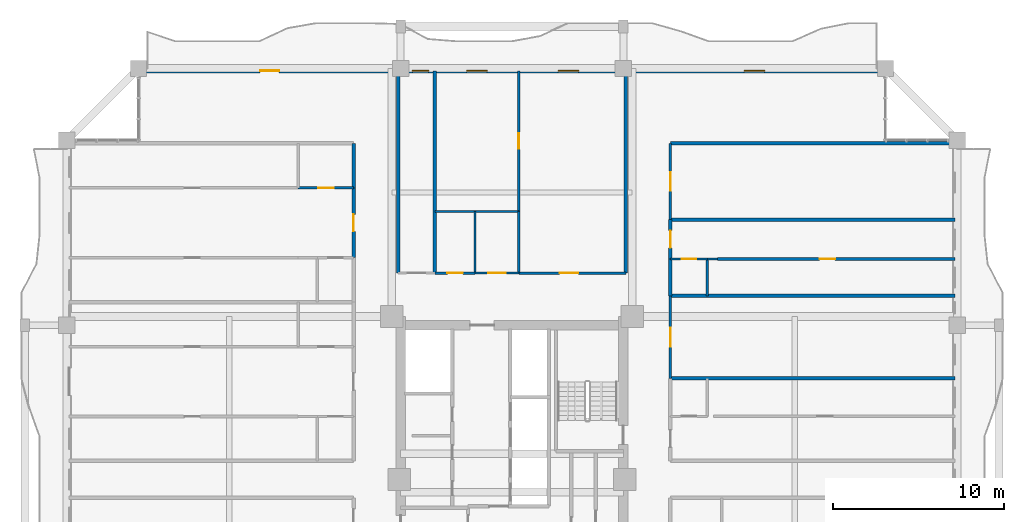
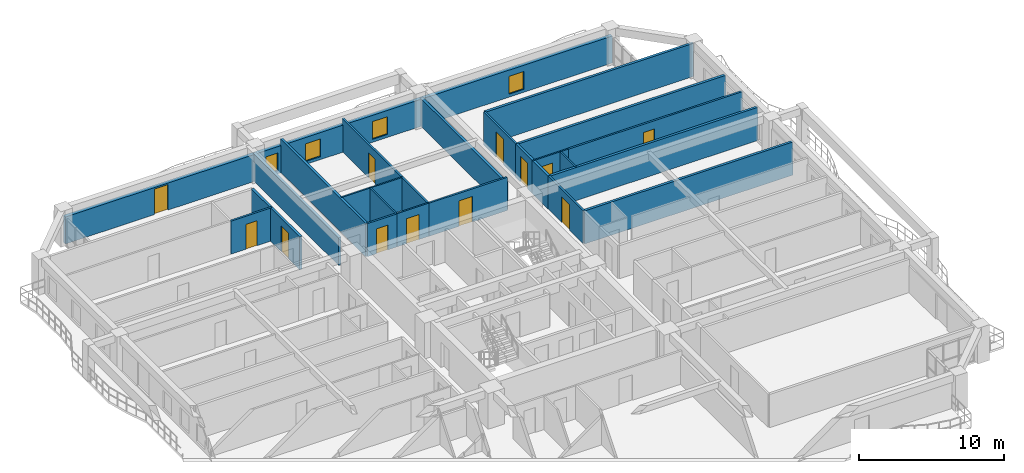
# One storey, part 18 of 24: 26 walls, 12 doors, 4 windows, 16 openings.
"""IFC4 building model written with IfcOpenShell, lengths in metres."""

from ifc_helpers import new_model, si_unit, direction, frame, frame_2d, origin, place, context, subcontext, project, spatial, rectangle, extrude, source, transform, mapped, material, layer, layer_set, type_object, element, fill, save


model = new_model("IFC4")

# Units and contexts
model_context = context("Model", 3, precision=1e-05, world=origin(), true_north=direction((0.0, 1.0)))
body_context = subcontext(model_context, "Body", "Model", "MODEL_VIEW")
ifc_project = project(units=[si_unit("LENGTHUNIT", "METRE"), si_unit("AREAUNIT", "SQUARE_METRE"), si_unit("VOLUMEUNIT", "CUBIC_METRE"), si_unit("PLANEANGLEUNIT", "RADIAN"), si_unit("MASSUNIT", "GRAM", prefix="KILO")], contexts=[model_context])

# Site, building, storey
site_placement = place(None, origin())
site = spatial("IfcSite", under=ifc_project, at=site_placement, CompositionType="ELEMENT")
building_placement = place(site_placement, origin())
building = spatial("IfcBuilding", under=site, at=building_placement, Name="Saelheon Loggia Tower", CompositionType="ELEMENT")
storey_placement = place(building_placement, frame((0.0, 0.0, 126.75)))
storey = spatial("IfcBuildingStorey", under=building, at=storey_placement, Name="L40", CompositionType="ELEMENT", Elevation=126.75)

# Wall, openings, windows, door
ifc_material_1 = material(Name="Architectural Precast Concrete C40/50", Category="concrete")
ifc_layer_1 = layer(ifc_material_1, 0.280029296875)
ifc_layer_set_1 = layer_set([ifc_layer_1], Name="Architectural Precast Concrete C40/50")
wall_type_1 = type_object("IfcWallType", Name="Wall_Ext_Loggia_280", PredefinedType="SOLIDWALL", material=ifc_layer_set_1)
wall_1_placement = place(storey_placement, frame((16.199951171875, 50.860107421875, 0.0), z_axis=(0.0, 0.0, 1.0), x_axis=(1.0, 0.0, 0.0)))
wall_1 = element("IfcWall", 1, at=wall_1_placement, inside=storey, type_object=wall_type_1, Name="L40 North Loggia Inner Wall", PredefinedType="SOLIDWALL", context=body_context, shape_type="SweptSolid", body=[
    extrude(rectangle(XDim=43.60009765625, YDim=0.280029296875, at=frame_2d((21.800048828125, 0.0))), origin(), (0.0, 0.0, 1.0), 2.280029296875),
])
opening_1_placement = place(wall_1_placement, frame((7.10009765625, 0.0, 0.0)))
opening_1 = element("IfcOpeningElement", 2, at=opening_1_placement, cuts=wall_1, Name="Opening TD1", PredefinedType="OPENING", context=body_context, shape_type="SweptSolid", body=[
    extrude(rectangle(XDim=1.10009765625, YDim=2.14990234375, at=frame_2d((0.550048828125, 1.074951171875))), frame((0.0, 0.152099609375, 0.0), z_axis=(0.0, -1.0, 0.0), x_axis=(1.0, 0.0, 0.0)), (0.0, 0.0, 1.0), 0.303955078125),
])
opening_2_placement = place(wall_1_placement, frame((15.982421875, 0.0, 0.25)))
opening_2 = element("IfcOpeningElement", 3, at=opening_2_placement, cuts=wall_1, Name="Opening WN-04", PredefinedType="OPENING", context=body_context, shape_type="SweptSolid", body=[
    extrude(rectangle(XDim=0.949951171875, YDim=1.5, at=frame_2d((0.47509765625, 0.75))), frame((0.0, 0.152099609375, 0.0), z_axis=(0.0, -1.0, 0.0), x_axis=(1.0, 0.0, 0.0)), (0.0, 0.0, 1.0), 0.303955078125),
])
opening_3_placement = place(wall_1_placement, frame((19.14990234375, 0.0, 0.25)))
opening_3 = element("IfcOpeningElement", 4, at=opening_3_placement, cuts=wall_1, Name="Opening WN-03", PredefinedType="OPENING", context=body_context, shape_type="SweptSolid", body=[
    extrude(rectangle(XDim=1.199951171875, YDim=1.5, at=frame_2d((0.60009765625, 0.75))), frame((0.0, 0.152099609375, 0.0), z_axis=(0.0, -1.0, 0.0), x_axis=(1.0, 0.0, 0.0)), (0.0, 0.0, 1.0), 0.303955078125),
])
opening_4_placement = place(wall_1_placement, frame((24.492431640625, 0.0, 0.25)))
opening_4 = element("IfcOpeningElement", 5, at=opening_4_placement, cuts=wall_1, Name="Opening WN-03", PredefinedType="OPENING", context=body_context, shape_type="SweptSolid", body=[
    extrude(rectangle(XDim=1.199951171875, YDim=1.5, at=frame_2d((0.60009765625, 0.75))), frame((0.0, 0.152099609375, 0.0), z_axis=(0.0, -1.0, 0.0), x_axis=(1.0, 0.0, 0.0)), (0.0, 0.0, 1.0), 0.303955078125),
])
opening_5_placement = place(wall_1_placement, frame((35.35009765625, 0.0, 0.25)))
opening_5 = element("IfcOpeningElement", 6, at=opening_5_placement, cuts=wall_1, Name="Opening WN-03", PredefinedType="OPENING", context=body_context, shape_type="SweptSolid", body=[
    extrude(rectangle(XDim=1.199951171875, YDim=1.5, at=frame_2d((0.60009765625, 0.75))), frame((0.0, 0.152099609375, 0.0), z_axis=(0.0, -1.0, 0.0), x_axis=(1.0, 0.0, 0.0)), (0.0, 0.0, 1.0), 0.303955078125),
])
ifc_material_2 = material(Name="Thermal-Break Aluminium and Triple Low-E Glass", Category="aluminium")
window_type_1 = type_object("IfcWindowType", Name="Win_Bedroom_1200x1500", PartitioningType="SINGLE_PANEL", PredefinedType="WINDOW", material=ifc_material_2)
shared_shape_1 = source(origin(), body_context, "Body", "SweptSolid", [
    extrude(rectangle(XDim=1.199951171875, YDim=1.5, at=frame_2d((0.60009765625, 0.75))), frame((0.0, 0.030029296875, 0.0), z_axis=(0.0, -1.0, 0.0), x_axis=(1.0, 0.0, 0.0)), (0.0, 0.0, 1.0), 0.06005859375),
])
window_1_placement = place(opening_3_placement, origin())
window_1 = element("IfcWindow", 7, at=window_1_placement, inside=storey, type_object=window_type_1, Name="L40 N Dwelling Window 3", OverallHeight=1.5, OverallWidth=1.199951171875, PartitioningType="SINGLE_PANEL", PredefinedType="WINDOW", context=body_context, shape_type="MappedRepresentation", body=[
    mapped(shared_shape_1, transform((0.0, 0.0, 0.0), scale=1.0)),
])
fill(opening_3, window_1)
window_2_placement = place(opening_4_placement, origin())
window_2 = element("IfcWindow", 8, at=window_2_placement, inside=storey, type_object=window_type_1, Name="L40 N Dwelling Window 4", OverallHeight=1.5, OverallWidth=1.199951171875, PartitioningType="SINGLE_PANEL", PredefinedType="WINDOW", context=body_context, shape_type="MappedRepresentation", body=[
    mapped(shared_shape_1, transform((0.0, 0.0, 0.0), scale=1.0)),
])
fill(opening_4, window_2)
window_3_placement = place(opening_5_placement, origin())
window_3 = element("IfcWindow", 9, at=window_3_placement, inside=storey, type_object=window_type_1, Name="L40 N Dwelling Window 5", OverallHeight=1.5, OverallWidth=1.199951171875, PartitioningType="SINGLE_PANEL", PredefinedType="WINDOW", context=body_context, shape_type="MappedRepresentation", body=[
    mapped(shared_shape_1, transform((0.0, 0.0, 0.0), scale=1.0)),
])
fill(opening_5, window_3)
ifc_material_3 = material(Name="Thermal-Break Aluminium Glazed Door", Category="aluminium")
door_type_1 = type_object("IfcDoorType", Name="Door_Terrace_TD1", OperationType="NOTDEFINED", PredefinedType="DOOR", material=ifc_material_3)
shared_shape_2 = source(origin(), body_context, "Body", "SweptSolid", [
    extrude(rectangle(XDim=1.10009765625, YDim=2.14990234375, at=frame_2d((0.550048828125, 1.074951171875))), frame((0.0, 0.02490234375, 0.0), z_axis=(0.0, -1.0, 0.0), x_axis=(1.0, 0.0, 0.0)), (0.0, 0.0, 1.0), 0.050048828125),
])
door_1_placement = place(opening_1_placement, origin())
door_1 = element("IfcDoor", 10, at=door_1_placement, inside=storey, type_object=door_type_1, Name="L40 N Loggia Access Door", OperationType="SINGLE_SWING_LEFT", OverallHeight=2.14990234375, OverallWidth=1.10009765625, PredefinedType="DOOR", context=body_context, shape_type="MappedRepresentation", body=[
    mapped(shared_shape_2, transform((0.0, 0.0, 0.0), scale=1.0)),
])
fill(opening_1, door_1)
window_type_2 = type_object("IfcWindowType", Name="Win_Narrow_950x1500", PartitioningType="SINGLE_PANEL", PredefinedType="WINDOW", material=ifc_material_2)
shared_shape_3 = source(origin(), body_context, "Body", "SweptSolid", [
    extrude(rectangle(XDim=0.949951171875, YDim=1.5, at=frame_2d((0.47509765625, 0.75))), frame((0.0, 0.030029296875, 0.0), z_axis=(0.0, -1.0, 0.0), x_axis=(1.0, 0.0, 0.0)), (0.0, 0.0, 1.0), 0.06005859375),
])
window_4_placement = place(opening_2_placement, origin())
window_4 = element("IfcWindow", 11, at=window_4_placement, inside=storey, type_object=window_type_2, Name="L40 N Dwelling Window 2", OverallHeight=1.5, OverallWidth=0.949951171875, PartitioningType="SINGLE_PANEL", PredefinedType="WINDOW", context=body_context, shape_type="MappedRepresentation", body=[
    mapped(shared_shape_3, transform((0.0, 0.0, 0.0), scale=1.0)),
])
fill(opening_2, window_4)

# Wall
ifc_material_4 = material(Name="Lightweight Autoclaved Aerated Concrete Block and Acoustic Gypsum", Category="concrete")
ifc_layer_2 = layer(ifc_material_4, 0.14990234375)
ifc_layer_set_2 = layer_set([ifc_layer_2], Name="Lightweight Autoclaved Aerated Concrete Block and Acoustic Gypsum")
wall_type_2 = type_object("IfcWallType", Name="Wall_Part_150", PredefinedType="PARTITIONING", material=ifc_layer_set_2)
wall_2_placement = place(storey_placement, frame((38.39990234375, 39.050048828125, 0.0), z_axis=(0.0, 0.0, 1.0), x_axis=(0.0, 1.0, 0.0)))
element("IfcWall", 12, at=wall_2_placement, inside=storey, type_object=wall_type_2, Name="L40 N Partition U06", PredefinedType="PARTITIONING", context=body_context, shape_type="SweptSolid", body=[
    extrude(rectangle(XDim=3.599853515625, YDim=0.14990234375, at=frame_2d((1.7998046875, 0.0))), origin(), (0.0, 0.0, 1.0), 2.7900390625),
])

# Wall, opening, door
wall_3_placement = place(storey_placement, frame((38.39990234375, 42.64990234375, 0.0), z_axis=(0.0, 0.0, 1.0), x_axis=(0.0, 1.0, 0.0)))
wall_3 = element("IfcWall", 13, at=wall_3_placement, inside=storey, type_object=wall_type_2, Name="L40 N Partition U07", PredefinedType="PARTITIONING", context=body_context, shape_type="SweptSolid", body=[
    extrude(rectangle(XDim=8.2001953125, YDim=0.14990234375, at=frame_2d((4.10009765625, 0.0))), origin(), (0.0, 0.0, 1.0), 2.7900390625),
])
opening_6_placement = place(wall_3_placement, frame((3.64990234375, 0.0, 0.0)))
opening_6 = element("IfcOpeningElement", 14, at=opening_6_placement, cuts=wall_3, Name="Opening D-IN2", PredefinedType="OPENING", context=body_context, shape_type="SweptSolid", body=[
    extrude(rectangle(XDim=0.89990234375, YDim=2.10009765625, at=frame_2d((0.449951171875, 1.050048828125))), frame((0.0, 0.0869140625, 0.0), z_axis=(0.0, -1.0, 0.0), x_axis=(1.0, 0.0, 0.0)), (0.0, 0.0, 1.0), 0.173828125),
])
ifc_material_5 = material(Name="Engineered Oak Flush Door", Category="timber")
door_type_2 = type_object("IfcDoorType", Name="Door_Int_900", OperationType="NOTDEFINED", PredefinedType="DOOR", material=ifc_material_5)
shared_shape_4 = source(origin(), body_context, "Body", "SweptSolid", [
    extrude(rectangle(XDim=0.89990234375, YDim=2.10009765625, at=frame_2d((0.449951171875, 1.050048828125))), frame((0.0, 0.02490234375, 0.0), z_axis=(0.0, -1.0, 0.0), x_axis=(1.0, 0.0, 0.0)), (0.0, 0.0, 1.0), 0.050048828125),
])
door_2_placement = place(opening_6_placement, origin())
door_2 = element("IfcDoor", 15, at=door_2_placement, inside=storey, type_object=door_type_2, Name="L40 Reading Alcove Door", OperationType="SINGLE_SWING_LEFT", OverallHeight=2.10009765625, OverallWidth=0.89990234375, PredefinedType="DOOR", context=body_context, shape_type="MappedRepresentation", body=[
    mapped(shared_shape_4, transform((0.0, 0.0, 0.0), scale=1.0)),
])
fill(opening_6, door_2)

wall_4_placement = place(storey_placement, frame((33.5, 39.050048828125, 0.0), z_axis=(0.0, 0.0, 1.0), x_axis=(1.0, 0.0, 0.0)))
wall_4 = element("IfcWall", 16, at=wall_4_placement, inside=storey, type_object=wall_type_2, Name="L40 N Partition V09", PredefinedType="PARTITIONING", context=body_context, shape_type="SweptSolid", body=[
    extrude(rectangle(XDim=2.35009765625, YDim=0.14990234375, at=frame_2d((1.175048828125, 0.0))), origin(), (0.0, 0.0, 1.0), 2.7900390625),
])
opening_7_placement = place(wall_4_placement, frame((0.72509765625, 0.0, 0.0)))
opening_7 = element("IfcOpeningElement", 17, at=opening_7_placement, cuts=wall_4, Name="Opening D-IN2", PredefinedType="OPENING", context=body_context, shape_type="SweptSolid", body=[
    extrude(rectangle(XDim=0.89990234375, YDim=2.10009765625, at=frame_2d((0.449951171875, 1.050048828125))), frame((0.0, 0.0869140625, 0.0), z_axis=(0.0, -1.0, 0.0), x_axis=(1.0, 0.0, 0.0)), (0.0, 0.0, 1.0), 0.173828125),
])
door_3_placement = place(opening_7_placement, origin())
door_3 = element("IfcDoor", 18, at=door_3_placement, inside=storey, type_object=door_type_2, Name="L40 Community Pantry Door", OperationType="SINGLE_SWING_RIGHT", OverallHeight=2.10009765625, OverallWidth=0.89990234375, PredefinedType="DOOR", context=body_context, shape_type="MappedRepresentation", body=[
    mapped(shared_shape_4, transform((0.0, 0.0, 0.0), scale=1.0)),
])
fill(opening_7, door_3)

wall_5_placement = place(storey_placement, frame((38.39990234375, 39.050048828125, 0.0), z_axis=(0.0, 0.0, 1.0), x_axis=(1.0, 0.0, 0.0)))
wall_5 = element("IfcWall", 19, at=wall_5_placement, inside=storey, type_object=wall_type_2, Name="L40 N Partition V11", PredefinedType="PARTITIONING", context=body_context, shape_type="SweptSolid", body=[
    extrude(rectangle(XDim=6.25, YDim=0.14990234375, at=frame_2d((3.125, 0.0))), origin(), (0.0, 0.0, 1.0), 2.7900390625),
])
opening_8_placement = place(wall_5_placement, frame((2.382080078125, 0.0, 0.0)))
opening_8 = element("IfcOpeningElement", 20, at=opening_8_placement, cuts=wall_5, Name="Opening D-FD2", PredefinedType="OPENING", context=body_context, shape_type="SweptSolid", body=[
    extrude(rectangle(XDim=1.10009765625, YDim=2.14990234375, at=frame_2d((0.550048828125, 1.074951171875))), frame((0.0, 0.0869140625, 0.0), z_axis=(0.0, -1.0, 0.0), x_axis=(1.0, 0.0, 0.0)), (0.0, 0.0, 1.0), 0.173828125),
])
ifc_material_6 = material(Name="Galvanised Steel Fire Door", Category="steel")
door_type_3 = type_object("IfcDoorType", Name="Door_Fire_FD60_1100", OperationType="NOTDEFINED", PredefinedType="DOOR", material=ifc_material_6)
door_4_placement = place(opening_8_placement, origin())
door_4 = element("IfcDoor", 21, at=door_4_placement, inside=storey, type_object=door_type_3, Name="L40 Community Reading Library Door A", OperationType="SINGLE_SWING_RIGHT", OverallHeight=2.14990234375, OverallWidth=1.10009765625, PredefinedType="DOOR", context=body_context, shape_type="MappedRepresentation", body=[
    mapped(shared_shape_2, transform((0.0, 0.0, 0.0), scale=1.0)),
])
fill(opening_8, door_4)

wall_6_placement = place(storey_placement, frame((28.75, 44.02001953125, 0.0), z_axis=(0.0, 0.0, 1.0), x_axis=(-1.0, 0.0, 0.0)))
wall_6 = element("IfcWall", 22, at=wall_6_placement, inside=storey, type_object=wall_type_2, Name="L40 WN Partition U22", PredefinedType="PARTITIONING", context=body_context, shape_type="SweptSolid", body=[
    extrude(rectangle(XDim=3.239990234375, YDim=0.14990234375, at=frame_2d((1.6201171875, 0.0))), origin(), (0.0, 0.0, 1.0), 2.7900390625),
])
opening_9_placement = place(wall_6_placement, frame((1.169921875, 0.0, 0.0)))
opening_9 = element("IfcOpeningElement", 23, at=opening_9_placement, cuts=wall_6, Name="Opening D-IN2", PredefinedType="OPENING", context=body_context, shape_type="SweptSolid", body=[
    extrude(rectangle(XDim=0.89990234375, YDim=2.10009765625, at=frame_2d((0.449951171875, 1.050048828125))), frame((0.0, 0.0869140625, 0.0), z_axis=(0.0, -1.0, 0.0), x_axis=(1.0, 0.0, 0.0)), (0.0, 0.0, 1.0), 0.173828125),
])
door_5_placement = place(opening_9_placement, origin())
door_5 = element("IfcDoor", 24, at=door_5_placement, inside=storey, type_object=door_type_2, Name="Unit U06 Dressing Closet Door", OperationType="SINGLE_SWING_LEFT", OverallHeight=2.10009765625, OverallWidth=0.89990234375, PredefinedType="DOOR", context=body_context, shape_type="MappedRepresentation", body=[
    mapped(shared_shape_4, transform((0.0, 0.0, 0.0), scale=1.0)),
])
fill(opening_9, door_5)

wall_7_placement = place(storey_placement, frame((47.25, 32.900390625, 0.0), z_axis=(0.0, 0.0, 1.0), x_axis=(0.0, 1.0, 0.0)))
wall_7 = element("IfcWall", 25, at=wall_7_placement, inside=storey, type_object=wall_type_2, Name="L40 EN Partition V09", PredefinedType="PARTITIONING", context=body_context, shape_type="SweptSolid", body=[
    extrude(rectangle(XDim=4.8203125, YDim=0.14990234375, at=frame_2d((2.41015625, 0.0))), origin(), (0.0, 0.0, 1.0), 2.7900390625),
])
opening_10_placement = place(wall_7_placement, frame((1.860107421875, 0.0, 0.0)))
opening_10 = element("IfcOpeningElement", 26, at=opening_10_placement, cuts=wall_7, Name="Opening D-FD2", PredefinedType="OPENING", context=body_context, shape_type="SweptSolid", body=[
    extrude(rectangle(XDim=1.10009765625, YDim=2.14990234375, at=frame_2d((0.550048828125, 1.074951171875))), frame((0.0, 0.0869140625, 0.0), z_axis=(0.0, -1.0, 0.0), x_axis=(1.0, 0.0, 0.0)), (0.0, 0.0, 1.0), 0.173828125),
])
door_6_placement = place(opening_10_placement, origin())
door_6 = element("IfcDoor", 27, at=door_6_placement, inside=storey, type_object=door_type_3, Name="L40 Resident Seminar and Study Hall Door A", OperationType="SINGLE_SWING_RIGHT", OverallHeight=2.14990234375, OverallWidth=1.10009765625, PredefinedType="DOOR", context=body_context, shape_type="MappedRepresentation", body=[
    mapped(shared_shape_2, transform((0.0, 0.0, 0.0), scale=1.0)),
])
fill(opening_10, door_6)

wall_8_placement = place(storey_placement, frame((50.010009765625, 39.870849609375, 0.0), z_axis=(0.0, 0.0, 1.0), x_axis=(1.0, 0.0, 0.0)))
wall_8 = element("IfcWall", 28, at=wall_8_placement, inside=storey, type_object=wall_type_2, Name="L40 EN Partition U16", PredefinedType="PARTITIONING", context=body_context, shape_type="SweptSolid", body=[
    extrude(rectangle(XDim=13.840087890625, YDim=0.14990234375, at=frame_2d((6.919921875, 0.0))), origin(), (0.0, 0.0, 1.0), 2.7900390625),
])
opening_11_placement = place(wall_8_placement, frame((5.95068359375, 0.0, 0.0)))
opening_11 = element("IfcOpeningElement", 29, at=opening_11_placement, cuts=wall_8, Name="Opening D-IN2", PredefinedType="OPENING", context=body_context, shape_type="SweptSolid", body=[
    extrude(rectangle(XDim=0.89990234375, YDim=2.10009765625, at=frame_2d((0.449951171875, 1.050048828125))), frame((0.0, 0.0869140625, 0.0), z_axis=(0.0, -1.0, 0.0), x_axis=(1.0, 0.0, 0.0)), (0.0, 0.0, 1.0), 0.173828125),
])
door_7_placement = place(opening_11_placement, origin())
door_7 = element("IfcDoor", 30, at=door_7_placement, inside=storey, type_object=door_type_2, Name="Unit U09 Kitchen Door", OperationType="SINGLE_SWING_LEFT", OverallHeight=2.10009765625, OverallWidth=0.89990234375, PredefinedType="DOOR", context=body_context, shape_type="MappedRepresentation", body=[
    mapped(shared_shape_4, transform((0.0, 0.0, 0.0), scale=1.0)),
])
fill(opening_11, door_7)

wall_9_placement = place(storey_placement, frame((47.25, 42.17041015625, 0.0), z_axis=(0.0, 0.0, 1.0), x_axis=(0.0, 1.0, 0.0)))
wall_9 = element("IfcWall", 31, at=wall_9_placement, inside=storey, type_object=wall_type_2, Name="L40 EN Partition V18", PredefinedType="PARTITIONING", context=body_context, shape_type="SweptSolid", body=[
    extrude(rectangle(XDim=4.44970703125, YDim=0.14990234375, at=frame_2d((2.224853515625, 0.0))), origin(), (0.0, 0.0, 1.0), 2.7900390625),
])
opening_12_placement = place(wall_9_placement, frame((1.6748046875, 0.0, 0.0)))
opening_12 = element("IfcOpeningElement", 32, at=opening_12_placement, cuts=wall_9, Name="Opening D-FD2", PredefinedType="OPENING", context=body_context, shape_type="SweptSolid", body=[
    extrude(rectangle(XDim=1.10009765625, YDim=2.14990234375, at=frame_2d((0.550048828125, 1.074951171875))), frame((0.0, 0.0869140625, 0.0), z_axis=(0.0, -1.0, 0.0), x_axis=(1.0, 0.0, 0.0)), (0.0, 0.0, 1.0), 0.173828125),
])
door_8_placement = place(opening_12_placement, origin())
door_8 = element("IfcDoor", 33, at=door_8_placement, inside=storey, type_object=door_type_3, Name="L40 Resident Seminar and Study Hall Door A", OperationType="SINGLE_SWING_RIGHT", OverallHeight=2.14990234375, OverallWidth=1.10009765625, PredefinedType="DOOR", context=body_context, shape_type="MappedRepresentation", body=[
    mapped(shared_shape_2, transform((0.0, 0.0, 0.0), scale=1.0)),
])
fill(opening_12, door_8)

# Walls
ifc_material_7 = material(Name="Double Acoustic Stud and Fireboard Partition", Category="gypsum")
ifc_layer_3 = layer(ifc_material_7, 0.199951171875)
ifc_layer_set_3 = layer_set([ifc_layer_3], Name="Double Acoustic Stud and Fireboard Partition")
wall_type_3 = type_object("IfcWallType", Name="Wall_Party_200", PredefinedType="PARTITIONING", material=ifc_layer_set_3)
for number, where, z_axis, x_axis, name in (
    (34, (31.35009765625, 39.050048828125, 0.0), (0.0, 0.0, 1.0), (0.0, 1.0, 0.0), "L40 N Partition U01"),
    (35, (44.64990234375, 39.050048828125, 0.0), (0.0, 0.0, 1.0), (0.0, 1.0, 0.0), "L40 N Partition U02"),
):
    element("IfcWall", number, at=place(storey_placement, frame(where, z_axis=z_axis, x_axis=x_axis)), inside=storey, type_object=wall_type_3, Name=name, PredefinedType="PARTITIONING", context=body_context, shape_type="SweptSolid", body=[
        extrude(rectangle(XDim=11.800048828125, YDim=0.199951171875, at=frame_2d((5.89990234375, 0.0))), origin(), (0.0, 0.0, 1.0), 2.340087890625),
    ])
wall_10_placement = place(storey_placement, frame((33.5, 39.050048828125, 0.0), z_axis=(0.0, 0.0, 1.0), x_axis=(0.0, 1.0, 0.0)))
element("IfcWall", 36, at=wall_10_placement, inside=storey, type_object=wall_type_3, Name="L40 N Partition U03", PredefinedType="PARTITIONING", context=body_context, shape_type="SweptSolid", body=[
    extrude(rectangle(XDim=11.800048828125, YDim=0.199951171875, at=frame_2d((5.89990234375, 0.0))), origin(), (0.0, 0.0, 1.0), 2.7900390625),
])

# Wall, opening, door
wall_11_placement = place(storey_placement, frame((28.75, 39.945556640625, 0.0), z_axis=(0.0, 0.0, 1.0), x_axis=(0.0, 1.0, 0.0)))
wall_11 = element("IfcWall", 37, at=wall_11_placement, inside=storey, type_object=wall_type_3, Name="L40 WN Partition V15", PredefinedType="PARTITIONING", context=body_context, shape_type="SweptSolid", body=[
    extrude(rectangle(XDim=4.074462890625, YDim=0.199951171875, at=frame_2d((2.037109375, 0.0))), origin(), (0.0, 0.0, 1.0), 2.7900390625),
])
opening_13_placement = place(wall_11_placement, frame((1.537109375, 0.0, 0.0)))
opening_13 = element("IfcOpeningElement", 38, at=opening_13_placement, cuts=wall_11, Name="Opening D-FD1", PredefinedType="OPENING", context=body_context, shape_type="SweptSolid", body=[
    extrude(rectangle(XDim=1.0, YDim=2.14990234375, at=frame_2d((0.5, 1.074951171875))), frame((0.0, 0.112060546875, 0.0), z_axis=(0.0, -1.0, 0.0), x_axis=(1.0, 0.0, 0.0)), (0.0, 0.0, 1.0), 0.223876953125),
])
ifc_material_8 = material(Name="Fire-Rated Engineered Timber Entrance Door", Category="wood")
door_type_4 = type_object("IfcDoorType", Name="Door_Flat_FD30S", OperationType="NOTDEFINED", PredefinedType="DOOR", material=ifc_material_8)
shared_shape_5 = source(origin(), body_context, "Body", "SweptSolid", [
    extrude(rectangle(XDim=1.0, YDim=2.14990234375, at=frame_2d((0.5, 1.074951171875))), frame((0.0, 0.02490234375, 0.0), z_axis=(0.0, -1.0, 0.0), x_axis=(1.0, 0.0, 0.0)), (0.0, 0.0, 1.0), 0.050048828125),
])
door_9_placement = place(opening_13_placement, origin())
door_9 = element("IfcDoor", 39, at=door_9_placement, inside=storey, type_object=door_type_4, Name="Unit U06 Entrance Door", OperationType="SINGLE_SWING_RIGHT", OverallHeight=2.14990234375, OverallWidth=1.0, PredefinedType="DOOR", context=body_context, shape_type="MappedRepresentation", body=[
    mapped(shared_shape_5, transform((0.0, 0.0, 0.0), scale=1.0)),
])
fill(opening_13, door_9)

# Walls
wall_12_placement = place(storey_placement, frame((28.75, 44.02001953125, 0.0), z_axis=(0.0, 0.0, 1.0), x_axis=(0.0, 1.0, 0.0)))
element("IfcWall", 40, at=wall_12_placement, inside=storey, type_object=wall_type_3, Name="L40 WN Partition V16", PredefinedType="PARTITIONING", context=body_context, shape_type="SweptSolid", body=[
    extrude(rectangle(XDim=2.60009765625, YDim=0.199951171875, at=frame_2d((1.300048828125, 0.0))), origin(), (0.0, 0.0, 1.0), 2.7900390625),
])
for number, where, z_axis, x_axis, name in (
    (41, (47.25, 46.6201171875, 0.0), (0.0, 0.0, 1.0), (1.0, 0.0, 0.0), "L40 EN Partition U02"),
    (42, (47.25, 32.900390625, 0.0), (0.0, 0.0, 1.0), (1.0, 0.0, 0.0), "L40 EN Partition U08"),
    (43, (47.25, 37.720703125, 0.0), (0.0, 0.0, 1.0), (1.0, 0.0, 0.0), "L40 EN Partition U10"),
):
    element("IfcWall", number, at=place(storey_placement, frame(where, z_axis=z_axis, x_axis=x_axis)), inside=storey, type_object=wall_type_3, Name=name, PredefinedType="PARTITIONING", context=body_context, shape_type="SweptSolid", body=[
        extrude(rectangle(XDim=16.60009765625, YDim=0.199951171875, at=frame_2d((8.300048828125, 0.0))), origin(), (0.0, 0.0, 1.0), 2.7900390625),
    ])
wall_13_placement = place(storey_placement, frame((47.25, 37.720703125, 0.0), z_axis=(0.0, 0.0, 1.0), x_axis=(0.0, 1.0, 0.0)))
element("IfcWall", 44, at=wall_13_placement, inside=storey, type_object=wall_type_3, Name="L40 EN Partition V11", PredefinedType="PARTITIONING", context=body_context, shape_type="SweptSolid", body=[
    extrude(rectangle(XDim=2.150146484375, YDim=0.199951171875, at=frame_2d((1.0751953125, 0.0))), origin(), (0.0, 0.0, 1.0), 2.7900390625),
])

# Wall, opening, door
wall_14_placement = place(storey_placement, frame((47.25, 39.870849609375, 0.0), z_axis=(0.0, 0.0, 1.0), x_axis=(0.0, 1.0, 0.0)))
wall_14 = element("IfcWall", 45, at=wall_14_placement, inside=storey, type_object=wall_type_3, Name="L40 EN Partition V12", PredefinedType="PARTITIONING", context=body_context, shape_type="SweptSolid", body=[
    extrude(rectangle(XDim=2.299560546875, YDim=0.199951171875, at=frame_2d((1.14990234375, 0.0))), origin(), (0.0, 0.0, 1.0), 2.7900390625),
])
opening_14_placement = place(wall_14_placement, frame((0.64990234375, 0.0, 0.0)))
opening_14 = element("IfcOpeningElement", 46, at=opening_14_placement, cuts=wall_14, Name="Opening D-FD1", PredefinedType="OPENING", context=body_context, shape_type="SweptSolid", body=[
    extrude(rectangle(XDim=1.0, YDim=2.14990234375, at=frame_2d((0.5, 1.074951171875))), frame((0.0, 0.112060546875, 0.0), z_axis=(0.0, -1.0, 0.0), x_axis=(1.0, 0.0, 0.0)), (0.0, 0.0, 1.0), 0.223876953125),
])
door_10_placement = place(opening_14_placement, origin())
door_10 = element("IfcDoor", 47, at=door_10_placement, inside=storey, type_object=door_type_4, Name="Unit U09 Entrance Door", OperationType="SINGLE_SWING_LEFT", OverallHeight=2.14990234375, OverallWidth=1.0, PredefinedType="DOOR", context=body_context, shape_type="MappedRepresentation", body=[
    mapped(shared_shape_5, transform((0.0, 0.0, 0.0), scale=1.0)),
])
fill(opening_14, door_10)

# Walls
wall_15_placement = place(storey_placement, frame((47.25, 42.17041015625, 0.0), z_axis=(0.0, 0.0, 1.0), x_axis=(1.0, 0.0, 0.0)))
element("IfcWall", 48, at=wall_15_placement, inside=storey, type_object=wall_type_3, Name="L40 EN Partition U17", PredefinedType="PARTITIONING", context=body_context, shape_type="SweptSolid", body=[
    extrude(rectangle(XDim=16.60009765625, YDim=0.199951171875, at=frame_2d((8.300048828125, 0.0))), origin(), (0.0, 0.0, 1.0), 2.7900390625),
])
ifc_material_9 = material(Name="Moisture-Resistant Cement Board Partition", Category="gypsum")
ifc_layer_4 = layer(ifc_material_9, 0.1201171875)
ifc_layer_set_4 = layer_set([ifc_layer_4], Name="Moisture-Resistant Cement Board Partition")
wall_type_4 = type_object("IfcWallType", Name="Wall_WetPart_120", PredefinedType="PARTITIONING", material=ifc_layer_set_4)
wall_16_placement = place(storey_placement, frame((35.85009765625, 39.050048828125, 0.0), z_axis=(0.0, 0.0, 1.0), x_axis=(0.0, 1.0, 0.0)))
element("IfcWall", 49, at=wall_16_placement, inside=storey, type_object=wall_type_4, Name="L40 N Partition U05", PredefinedType="PARTITIONING", context=body_context, shape_type="SweptSolid", body=[
    extrude(rectangle(XDim=3.599853515625, YDim=0.1201171875, at=frame_2d((1.7998046875, 0.0))), origin(), (0.0, 0.0, 1.0), 2.7900390625),
])
wall_17_placement = place(storey_placement, frame((33.5, 42.64990234375, 0.0), z_axis=(0.0, 0.0, 1.0), x_axis=(1.0, 0.0, 0.0)))
element("IfcWall", 50, at=wall_17_placement, inside=storey, type_object=wall_type_4, Name="L40 N Partition V08", PredefinedType="PARTITIONING", context=body_context, shape_type="SweptSolid", body=[
    extrude(rectangle(XDim=4.89990234375, YDim=0.1201171875, at=frame_2d((2.449951171875, 0.0))), origin(), (0.0, 0.0, 1.0), 2.7900390625),
])

# Wall, opening, door
wall_18_placement = place(storey_placement, frame((35.85009765625, 39.050048828125, 0.0), z_axis=(0.0, 0.0, 1.0), x_axis=(1.0, 0.0, 0.0)))
wall_18 = element("IfcWall", 51, at=wall_18_placement, inside=storey, type_object=wall_type_4, Name="L40 N Partition V10", PredefinedType="PARTITIONING", context=body_context, shape_type="SweptSolid", body=[
    extrude(rectangle(XDim=2.5498046875, YDim=0.1201171875, at=frame_2d((1.27490234375, 0.0))), origin(), (0.0, 0.0, 1.0), 2.7900390625),
])
opening_15_placement = place(wall_18_placement, frame((0.77490234375, 0.0, 0.0)))
opening_15 = element("IfcOpeningElement", 52, at=opening_15_placement, cuts=wall_18, Name="Opening D-AC1", PredefinedType="OPENING", context=body_context, shape_type="SweptSolid", body=[
    extrude(rectangle(XDim=1.0, YDim=2.10009765625, at=frame_2d((0.5, 1.050048828125))), frame((0.0, 0.072021484375, 0.0), z_axis=(0.0, -1.0, 0.0), x_axis=(1.0, 0.0, 0.0)), (0.0, 0.0, 1.0), 0.14404296875),
])
ifc_material_10 = material(Name="Accessible Laminate Flush Door", Category="timber")
door_type_5 = type_object("IfcDoorType", Name="Door_Acc_1000", OperationType="NOTDEFINED", PredefinedType="DOOR", material=ifc_material_10)
shared_shape_6 = source(origin(), body_context, "Body", "SweptSolid", [
    extrude(rectangle(XDim=1.0, YDim=2.10009765625, at=frame_2d((0.5, 1.050048828125))), frame((0.0, 0.02490234375, 0.0), z_axis=(0.0, -1.0, 0.0), x_axis=(1.0, 0.0, 0.0)), (0.0, 0.0, 1.0), 0.050048828125),
])
door_11_placement = place(opening_15_placement, origin())
door_11 = element("IfcDoor", 53, at=door_11_placement, inside=storey, type_object=door_type_5, Name="L40 Common Washroom Door", OperationType="SINGLE_SWING_LEFT", OverallHeight=2.10009765625, OverallWidth=1.0, PredefinedType="DOOR", context=body_context, shape_type="MappedRepresentation", body=[
    mapped(shared_shape_6, transform((0.0, 0.0, 0.0), scale=1.0)),
])
fill(opening_15, door_11)

wall_19_placement = place(storey_placement, frame((47.25, 39.870849609375, 0.0), z_axis=(0.0, 0.0, 1.0), x_axis=(1.0, 0.0, 0.0)))
wall_19 = element("IfcWall", 54, at=wall_19_placement, inside=storey, type_object=wall_type_4, Name="L40 EN Partition U13", PredefinedType="PARTITIONING", context=body_context, shape_type="SweptSolid", body=[
    extrude(rectangle(XDim=2.14990234375, YDim=0.1201171875, at=frame_2d((1.074951171875, 0.0))), origin(), (0.0, 0.0, 1.0), 2.7900390625),
])
opening_16_placement = place(wall_19_placement, frame((0.64990234375, 0.0, 0.0)))
opening_16 = element("IfcOpeningElement", 55, at=opening_16_placement, cuts=wall_19, Name="Opening D-BT1", PredefinedType="OPENING", context=body_context, shape_type="SweptSolid", body=[
    extrude(rectangle(XDim=0.85009765625, YDim=2.050048828125, at=frame_2d((0.425048828125, 1.02490234375))), frame((0.0, 0.072021484375, 0.0), z_axis=(0.0, -1.0, 0.0), x_axis=(1.0, 0.0, 0.0)), (0.0, 0.0, 1.0), 0.14404296875),
])
ifc_material_11 = material(Name="Moisture-Resistant Laminate Timber Door", Category="wood")
door_type_6 = type_object("IfcDoorType", Name="Door_Bath_850", OperationType="NOTDEFINED", PredefinedType="DOOR", material=ifc_material_11)
shared_shape_7 = source(origin(), body_context, "Body", "SweptSolid", [
    extrude(rectangle(XDim=0.85009765625, YDim=2.050048828125, at=frame_2d((0.425048828125, 1.02490234375))), frame((0.0, 0.02490234375, 0.0), z_axis=(0.0, -1.0, 0.0), x_axis=(1.0, 0.0, 0.0)), (0.0, 0.0, 1.0), 0.050048828125),
])
door_12_placement = place(opening_16_placement, origin())
door_12 = element("IfcDoor", 56, at=door_12_placement, inside=storey, type_object=door_type_6, Name="Unit U09 Bathroom Door", OperationType="SINGLE_SWING_RIGHT", OverallHeight=2.050048828125, OverallWidth=0.85009765625, PredefinedType="DOOR", context=body_context, shape_type="MappedRepresentation", body=[
    mapped(shared_shape_7, transform((0.0, 0.0, 0.0), scale=1.0)),
])
fill(opening_16, door_12)

# Walls
wall_20_placement = place(storey_placement, frame((49.39990234375, 39.870849609375, 0.0), z_axis=(0.0, 0.0, 1.0), x_axis=(1.0, 0.0, 0.0)))
element("IfcWall", 57, at=wall_20_placement, inside=storey, type_object=wall_type_4, Name="L40 EN Partition U14", PredefinedType="PARTITIONING", context=body_context, shape_type="SweptSolid", body=[
    extrude(rectangle(XDim=0.610107421875, YDim=0.1201171875, at=frame_2d((0.30517578125, 0.0))), origin(), (0.0, 0.0, 1.0), 2.7900390625),
])
wall_21_placement = place(storey_placement, frame((49.39990234375, 37.720703125, 0.0), z_axis=(0.0, 0.0, 1.0), x_axis=(0.0, 1.0, 0.0)))
element("IfcWall", 58, at=wall_21_placement, inside=storey, type_object=wall_type_4, Name="L40 EN Partition V15", PredefinedType="PARTITIONING", context=body_context, shape_type="SweptSolid", body=[
    extrude(rectangle(XDim=2.150146484375, YDim=0.1201171875, at=frame_2d((1.0751953125, 0.0))), origin(), (0.0, 0.0, 1.0), 2.7900390625),
])

save(model, "model.ifc")
